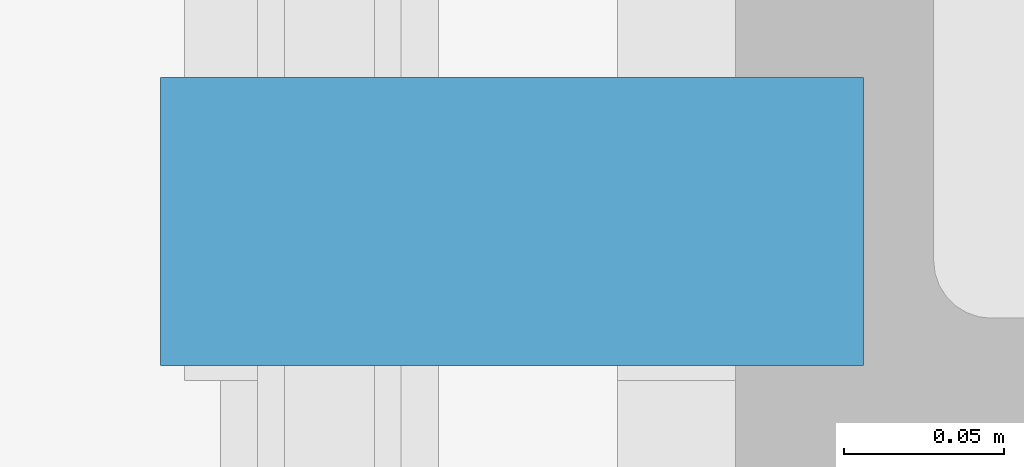
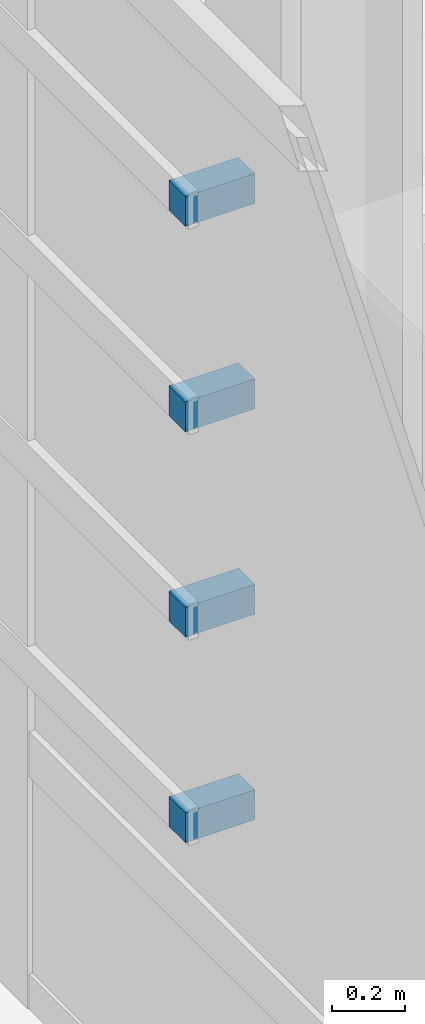
# One storey, part 31 of 36: 4 discrete accessories.
"""IFC4 building model written with IfcOpenShell, lengths in metres."""

from ifc_helpers import new_model, si_unit, direction, frame, origin, origin_2d, place, context, subcontext, project, spatial, rectangle, extrude, material, type_object, element, save


model = new_model("IFC4")

# Units and contexts
model_context = context("Model", 3, precision=1e-05, world=origin(), true_north=direction((0.0, 1.0)))
body_context = subcontext(model_context, "Body", "Model", "MODEL_VIEW")
ifc_project = project(units=[si_unit("LENGTHUNIT", "METRE"), si_unit("AREAUNIT", "SQUARE_METRE"), si_unit("VOLUMEUNIT", "CUBIC_METRE"), si_unit("PLANEANGLEUNIT", "RADIAN"), si_unit("MASSUNIT", "GRAM", prefix="KILO")], contexts=[model_context])

# Site, building, storey
site_placement = place(None, origin())
site = spatial("IfcSite", under=ifc_project, at=site_placement, CompositionType="ELEMENT")
building_placement = place(site_placement, origin())
building = spatial("IfcBuilding", under=site, at=building_placement, Name="Punatoya Terracotta Tower", CompositionType="ELEMENT")
storey_placement = place(building_placement, frame((0.0, 0.0, 36.300048828125)))
storey = spatial("IfcBuildingStorey", under=building, at=storey_placement, Name="L07", CompositionType="ELEMENT", Elevation=36.300048828125)

# Discrete accessories
ifc_material = material(Name="Steel S355", Category="steel")
discrete_accessory_type = type_object("IfcDiscreteAccessoryType", Name="ACC-BRK-220", PredefinedType="BRACKET", material=ifc_material)
for number, where, z_axis, x_axis, name in (
    (1, (-24.79296875, -3.35009765625, 1.099853515625), (0.0, 0.0, 1.0), (0.0, 1.0, 0.0), "L07 Baguette Louvre Column Bracket BAG-L07-W-01"),
    (2, (-24.79296875, -3.35009765625, 1.78662109375), (0.0, 0.0, 1.0), (0.0, 1.0, 0.0), "L07 Baguette Louvre Column Bracket BAG-L07-W-02"),
    (3, (-24.79296875, -3.35009765625, 2.47314453125), (0.0, 0.0, 1.0), (0.0, 1.0, 0.0), "L07 Baguette Louvre Column Bracket BAG-L07-W-03"),
    (4, (-24.79296875, -3.35009765625, 3.159912109375), (0.0, 0.0, 1.0), (0.0, 1.0, 0.0), "L07 Baguette Louvre Column Bracket BAG-L07-W-04"),
):
    element("IfcDiscreteAccessory", number, at=place(storey_placement, frame(where, z_axis=z_axis, x_axis=x_axis)), inside=storey, type_object=discrete_accessory_type, Name=name, PredefinedType="BRACKET", context=body_context, shape_type="SweptSolid", body=[
        extrude(rectangle(XDim=0.090087890625, YDim=0.219970703125, at=origin_2d()), origin(), (0.0, 0.0, 1.0), 0.10009765625),
    ])

save(model, "model.ifc")
